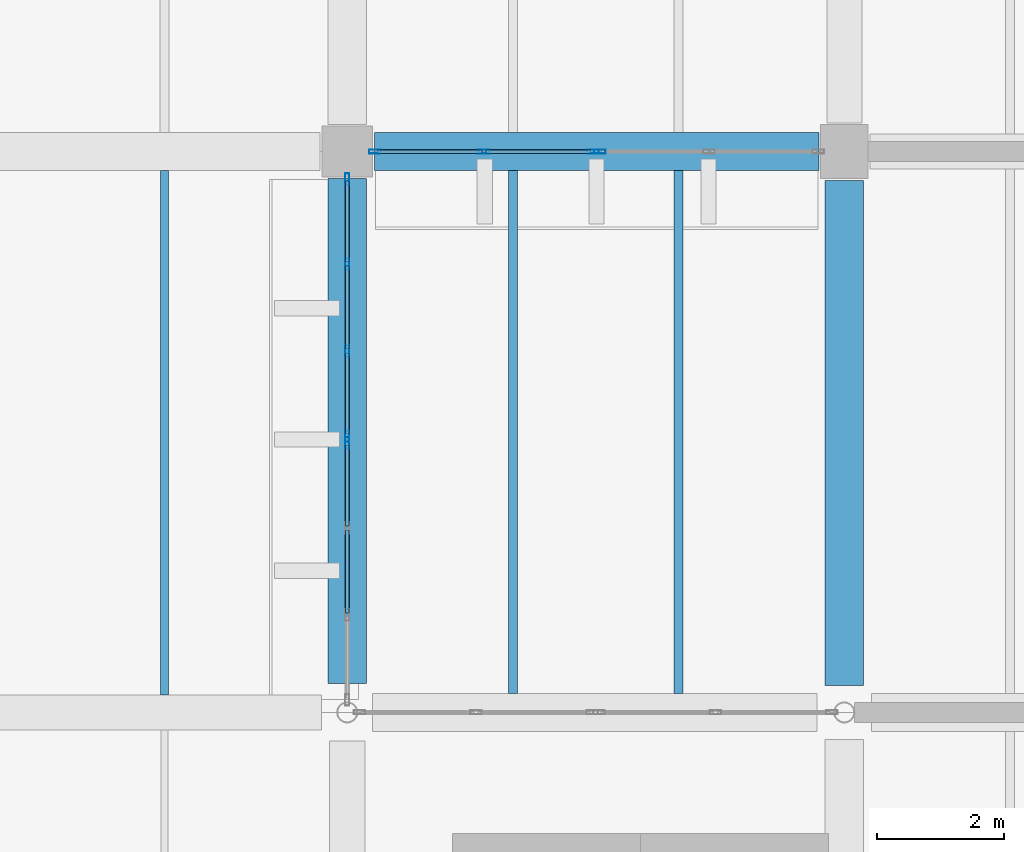
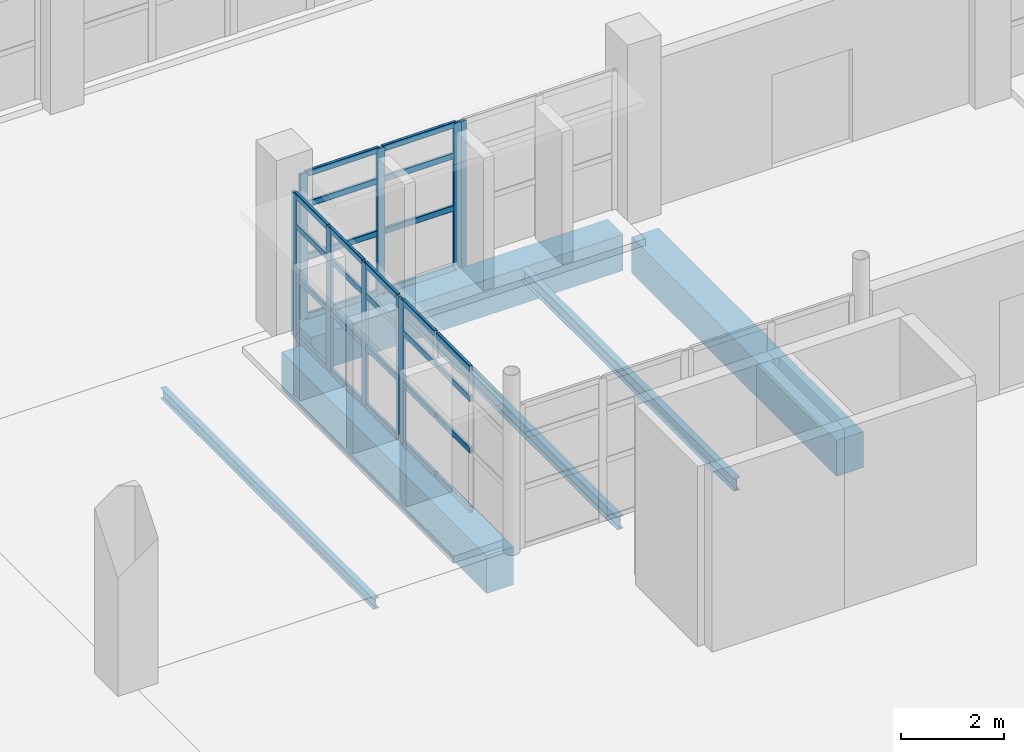
# One storey, part 18 of 76: 37 members, 6 beams, 4 elements without a shape of their own.
"""IFC4 building model written with IfcOpenShell, lengths in metres."""

from ifc_helpers import new_model, si_unit, direction, frame, origin, origin_2d, place, context, subcontext, project, spatial, rectangle, hollow_rectangle, i_section, extrude, material, material_profile, profile_set, type_object, element, aggregate, save


model = new_model("IFC4")

# Units and contexts
model_context = context("Model", 3, precision=1e-05, world=origin(), true_north=direction((0.0, 1.0)))
body_context = subcontext(model_context, "Body", "Model", "MODEL_VIEW")
ifc_project = project(units=[si_unit("LENGTHUNIT", "METRE"), si_unit("AREAUNIT", "SQUARE_METRE"), si_unit("VOLUMEUNIT", "CUBIC_METRE"), si_unit("PLANEANGLEUNIT", "RADIAN"), si_unit("MASSUNIT", "GRAM", prefix="KILO")], contexts=[model_context])

# Site, building, storey
site_placement = place(None, origin())
site = spatial("IfcSite", under=ifc_project, at=site_placement, CompositionType="ELEMENT")
building_placement = place(site_placement, origin())
building = spatial("IfcBuilding", under=site, at=building_placement, Name="Varnakota Cinema and Media Centre", CompositionType="ELEMENT")
storey_placement = place(building_placement, origin())
storey = spatial("IfcBuildingStorey", under=building, at=storey_placement, Name="L00", CompositionType="ELEMENT", Elevation=0.0)

# Beams
ifc_material_1 = material(Name="Concrete M35", Category="concrete")
ifc_material_profile_1 = material_profile(ifc_material_1, rectangle(XDim=0.60009765625, YDim=0.85009765625, at=origin_2d()), Name="RCB 600x850")
ifc_profile_set_1 = profile_set([ifc_material_profile_1], Name="Concrete M35")
beam_type_1 = type_object("IfcBeamType", Name="BM-RC-600x850", PredefinedType="BEAM", material=ifc_profile_set_1)
beam_1_placement = place(storey_placement, frame((52.02490234375, 35.199951171875, -0.705078125), z_axis=(1.0, 0.0, 0.0), x_axis=(0.0, 1.0, 0.0)))
element("IfcBeam", 1, at=beam_1_placement, inside=storey, type_object=beam_type_1, Name="L00 girder G-H/5", PredefinedType="BEAM", context=body_context, shape_type="SweptSolid", body=[
    extrude(rectangle(XDim=0.60009765625, YDim=0.85009765625, at=origin_2d()), origin(), (0.0, 0.0, 1.0), 6.97509765625),
])
beam_2_placement = place(storey_placement, frame((59.39990234375, 26.824951171875, -0.705078125), z_axis=(0.0, 1.0, 0.0), x_axis=(-1.0, 0.0, 0.0)))
element("IfcBeam", 2, at=beam_2_placement, inside=storey, type_object=beam_type_1, Name="L00 girder H/4-5", PredefinedType="BEAM", context=body_context, shape_type="SweptSolid", body=[
    extrude(rectangle(XDim=0.60009765625, YDim=0.85009765625, at=origin_2d()), origin(), (0.0, 0.0, 1.0), 7.925048828125),
])
ifc_material_2 = material(Name="Concrete M40", Category="concrete")
ifc_material_profile_2 = material_profile(ifc_material_2, rectangle(XDim=0.60009765625, YDim=0.89990234375, at=origin_2d()), Name="RCB 600x900")
ifc_profile_set_2 = profile_set([ifc_material_profile_2], Name="Concrete M40")
beam_type_2 = type_object("IfcBeamType", Name="BM-RC-600x900", PredefinedType="BEAM", material=ifc_profile_set_2)
beam_3_placement = place(storey_placement, frame((51.60009765625, 26.85009765625, -0.72998046875), z_axis=(0.0, 1.0, 0.0), x_axis=(-1.0, 0.0, 0.0)))
element("IfcBeam", 3, at=beam_3_placement, inside=storey, type_object=beam_type_2, Name="L00 girder G/4-5", PredefinedType="BEAM", context=body_context, shape_type="SweptSolid", body=[
    extrude(rectangle(XDim=0.60009765625, YDim=0.89990234375, at=origin_2d()), origin(), (0.0, 0.0, 1.0), 7.9248046875),
])
ifc_material_3 = material(Name="Structural steel Grade 350 (E350)", Category="steel")
ifc_material_profile_3 = material_profile(ifc_material_3, i_section(OverallWidth=0.125, OverallDepth=0.25, WebThickness=0.0068359375, FlangeThickness=0.012451171875, FilletRadius=0.012939453125, at=origin_2d()), Name="ISMB 250")
ifc_profile_set_3 = profile_set([ifc_material_profile_3], Name="Structural steel Grade 350 (E350)")
beam_type_3 = type_object("IfcBeamType", Name="BM-ST-ISMB250", PredefinedType="JOIST", material=ifc_profile_set_3)
beam_4_placement = place(storey_placement, frame((48.7333984375, 26.675048828125, -0.405029296875), z_axis=(0.0, 1.0, 0.0), x_axis=(-1.0, 0.0, 0.0)))
element("IfcBeam", 4, at=beam_4_placement, inside=storey, type_object=beam_type_3, Name="L00 steel joist F-G/4-5 #2", PredefinedType="JOIST", context=body_context, shape_type="SweptSolid", body=[
    extrude(i_section(OverallWidth=0.125, OverallDepth=0.25, WebThickness=0.0068359375, FlangeThickness=0.012451171875, FilletRadius=0.012939453125, at=origin_2d()), origin(), (0.0, 0.0, 1.0), 8.224853515625),
])
ifc_material_4 = material(Name="Structural steel Grade 350 (E350)", Category="steel")
ifc_material_profile_4 = material_profile(ifc_material_4, i_section(OverallWidth=0.139892578125, OverallDepth=0.300048828125, WebThickness=0.0078125, FlangeThickness=0.01318359375, FilletRadius=0.013916015625, at=origin_2d()), Name="ISMB 300")
ifc_profile_set_4 = profile_set([ifc_material_profile_4], Name="Structural steel Grade 350 (E350)")
beam_type_4 = type_object("IfcBeamType", Name="BM-ST-ISMB300", PredefinedType="JOIST", material=ifc_profile_set_4)
for number, where, z_axis, x_axis, name in (
    (5, (54.199951171875, 26.699951171875, -0.429931640625), (0.0, 1.0, 0.0), (-1.0, 0.0, 0.0), "L00 steel joist G-H/4-5 #1"),
    (6, (56.800048828125, 26.699951171875, -0.429931640625), (0.0, 1.0, 0.0), (-1.0, 0.0, 0.0), "L00 steel joist G-H/4-5 #2"),
):
    element("IfcBeam", number, at=place(storey_placement, frame(where, z_axis=z_axis, x_axis=x_axis)), inside=storey, type_object=beam_type_4, Name=name, PredefinedType="JOIST", context=body_context, shape_type="SweptSolid", body=[
        extrude(i_section(OverallWidth=0.139892578125, OverallDepth=0.300048828125, WebThickness=0.0078125, FlangeThickness=0.01318359375, FilletRadius=0.013916015625, at=origin_2d()), origin(), (0.0, 0.0, 1.0), 8.199951171875),
    ])

# Curtain wall, member
ifc_material_5 = material(Name="Thermally broken anodised aluminium AW-6063", Category="aluminium")
curtain_wall_type_1 = type_object("IfcCurtainWallType", Name="CW-STD-349x344", PredefinedType="USERDEFINED", material=ifc_material_5)
curtain_wall_1_placement = place(storey_placement, origin())
curtain_wall_1 = element("IfcCurtainWall", 7, at=curtain_wall_1_placement, inside=storey, type_object=curtain_wall_type_1, Name="L00 curtain wall CW-L00-LINK-S-03-1", ObjectType="UNITISED CURTAIN WALL", PredefinedType="USERDEFINED")
ifc_material_6 = material(Name="Thermally broken anodised aluminium AW-6063", Category="aluminium")
ifc_material_profile_5 = material_profile(ifc_material_6, hollow_rectangle(XDim=0.06494140625, YDim=0.179931640625, WallThickness=0.00390625, InnerFilletRadius=0.00390625, OuterFilletRadius=0.008056640625, at=origin_2d()), Name="AL-MULLION 180x65x4")
ifc_profile_set_5 = profile_set([ifc_material_profile_5], Name="Thermally broken anodised aluminium AW-6063")
member_type_1 = type_object("IfcMemberType", Name="CWM-AL-180", PredefinedType="MULLION", material=ifc_profile_set_5)
member_1_placement = place(storey_placement, frame((55.56494140625, 35.199951171875, 0.0), z_axis=(0.0, 0.0, 1.0), x_axis=(0.0, -1.0, 0.0)))
member_1 = element("IfcMember", 8, at=member_1_placement, type_object=member_type_1, Name="CW12 mullion 3", PredefinedType="MULLION", context=body_context, shape_type="SweptSolid", body=[
    extrude(hollow_rectangle(XDim=0.06494140625, YDim=0.179931640625, WallThickness=0.00390625, InnerFilletRadius=0.00390625, OuterFilletRadius=0.008056640625, at=origin_2d()), origin(), (0.0, 0.0, 1.0), 3.43505859375),
])
aggregate(curtain_wall_1, [member_1])

# Curtain wall, members
curtain_wall_2_placement = place(storey_placement, origin())
curtain_wall_2 = element("IfcCurtainWall", 9, at=curtain_wall_2_placement, inside=storey, type_object=curtain_wall_type_1, Name="L00 curtain wall CW-L00-LINK-S-03-2", ObjectType="UNITISED CURTAIN WALL", PredefinedType="USERDEFINED")
member_2_placement = place(storey_placement, frame((55.4599609375, 35.199951171875, 0.0), z_axis=(0.0, 0.0, 1.0), x_axis=(0.0, -1.0, 0.0)))
member_2 = element("IfcMember", 10, at=member_2_placement, type_object=member_type_1, Name="CW12 mullion 1", PredefinedType="MULLION", context=body_context, shape_type="SweptSolid", body=[
    extrude(hollow_rectangle(XDim=0.06494140625, YDim=0.179931640625, WallThickness=0.00390625, InnerFilletRadius=0.00390625, OuterFilletRadius=0.008056640625, at=origin_2d()), origin(), (0.0, 0.0, 1.0), 3.43505859375),
])
member_3_placement = place(storey_placement, frame((53.746337890625, 35.199951171875, 0.0), z_axis=(0.0, 0.0, 1.0), x_axis=(0.0, -1.0, 0.0)))
member_3 = element("IfcMember", 11, at=member_3_placement, type_object=member_type_1, Name="CW12 mullion 2", PredefinedType="MULLION", context=body_context, shape_type="SweptSolid", body=[
    extrude(hollow_rectangle(XDim=0.06494140625, YDim=0.179931640625, WallThickness=0.00390625, InnerFilletRadius=0.00390625, OuterFilletRadius=0.008056640625, at=origin_2d()), origin(), (0.0, 0.0, 1.0), 3.43505859375),
])
member_4_placement = place(storey_placement, frame((52.032470703125, 35.199951171875, 0.0), z_axis=(0.0, 0.0, 1.0), x_axis=(0.0, -1.0, 0.0)))
member_4 = element("IfcMember", 12, at=member_4_placement, type_object=member_type_1, Name="CW12 mullion 3", PredefinedType="MULLION", context=body_context, shape_type="SweptSolid", body=[
    extrude(hollow_rectangle(XDim=0.06494140625, YDim=0.179931640625, WallThickness=0.00390625, InnerFilletRadius=0.00390625, OuterFilletRadius=0.008056640625, at=origin_2d()), origin(), (0.0, 0.0, 1.0), 3.43505859375),
])

# Curtain wall, member
ifc_material_7 = material(Name="Thermally broken anodised aluminium AW-6063", Category="aluminium")
curtain_wall_type_2 = type_object("IfcCurtainWallType", Name="CW-STD-410x338", PredefinedType="USERDEFINED", material=ifc_material_7)
curtain_wall_3_placement = place(storey_placement, origin())
curtain_wall_3 = element("IfcCurtainWall", 13, at=curtain_wall_3_placement, inside=storey, type_object=curtain_wall_type_2, Name="L00 curtain wall CW-L00-WLINK-E-01-1", ObjectType="UNITISED CURTAIN WALL", PredefinedType="USERDEFINED")
member_5_placement = place(storey_placement, frame((51.60009765625, 30.62841796875, 0.0), z_axis=(0.0, 0.0, 1.0), x_axis=(-1.0, 0.0, 0.0)))
member_5 = element("IfcMember", 14, at=member_5_placement, type_object=member_type_1, Name="CW13 mullion 4", PredefinedType="MULLION", context=body_context, shape_type="SweptSolid", body=[
    extrude(hollow_rectangle(XDim=0.06494140625, YDim=0.179931640625, WallThickness=0.00390625, InnerFilletRadius=0.00390625, OuterFilletRadius=0.008056640625, at=origin_2d()), origin(), (0.0, 0.0, 1.0), 3.385009765625),
])

# Curtain wall, members
curtain_wall_4_placement = place(storey_placement, origin())
curtain_wall_4 = element("IfcCurtainWall", 15, at=curtain_wall_4_placement, inside=storey, type_object=curtain_wall_type_2, Name="L00 curtain wall CW-L00-WLINK-E-01-2", ObjectType="UNITISED CURTAIN WALL", PredefinedType="USERDEFINED")
member_6_placement = place(storey_placement, frame((51.60009765625, 30.7333984375, 0.0), z_axis=(0.0, 0.0, 1.0), x_axis=(-1.0, 0.0, 0.0)))
member_6 = element("IfcMember", 16, at=member_6_placement, type_object=member_type_1, Name="CW13 mullion 1", PredefinedType="MULLION", context=body_context, shape_type="SweptSolid", body=[
    extrude(hollow_rectangle(XDim=0.06494140625, YDim=0.179931640625, WallThickness=0.00390625, InnerFilletRadius=0.00390625, OuterFilletRadius=0.008056640625, at=origin_2d()), origin(), (0.0, 0.0, 1.0), 3.385009765625),
])
member_7_placement = place(storey_placement, frame((51.60009765625, 32.0673828125, 0.0), z_axis=(0.0, 0.0, 1.0), x_axis=(-1.0, 0.0, 0.0)))
member_7 = element("IfcMember", 17, at=member_7_placement, type_object=member_type_1, Name="CW13 mullion 2", PredefinedType="MULLION", context=body_context, shape_type="SweptSolid", body=[
    extrude(hollow_rectangle(XDim=0.06494140625, YDim=0.179931640625, WallThickness=0.00390625, InnerFilletRadius=0.00390625, OuterFilletRadius=0.008056640625, at=origin_2d()), origin(), (0.0, 0.0, 1.0), 3.385009765625),
])
member_8_placement = place(storey_placement, frame((51.60009765625, 33.43359375, 0.0), z_axis=(0.0, 0.0, 1.0), x_axis=(-1.0, 0.0, 0.0)))
member_8 = element("IfcMember", 18, at=member_8_placement, type_object=member_type_1, Name="CW13 mullion 3", PredefinedType="MULLION", context=body_context, shape_type="SweptSolid", body=[
    extrude(hollow_rectangle(XDim=0.06494140625, YDim=0.179931640625, WallThickness=0.00390625, InnerFilletRadius=0.00390625, OuterFilletRadius=0.008056640625, at=origin_2d()), origin(), (0.0, 0.0, 1.0), 3.385009765625),
])
member_9_placement = place(storey_placement, frame((51.60009765625, 34.767578125, 0.0), z_axis=(0.0, 0.0, 1.0), x_axis=(-1.0, 0.0, 0.0)))
member_9 = element("IfcMember", 19, at=member_9_placement, type_object=member_type_1, Name="CW13 mullion 4", PredefinedType="MULLION", context=body_context, shape_type="SweptSolid", body=[
    extrude(hollow_rectangle(XDim=0.06494140625, YDim=0.179931640625, WallThickness=0.00390625, InnerFilletRadius=0.00390625, OuterFilletRadius=0.008056640625, at=origin_2d()), origin(), (0.0, 0.0, 1.0), 3.385009765625),
])

# Member
ifc_material_8 = material(Name="Thermally broken anodised aluminium AW-6063", Category="aluminium")
ifc_material_profile_6 = material_profile(ifc_material_8, hollow_rectangle(XDim=0.06494140625, YDim=0.139892578125, WallThickness=0.00390625, InnerFilletRadius=0.00390625, OuterFilletRadius=0.008056640625, at=origin_2d()), Name="AL-TRANSOM 140x65x4")
ifc_profile_set_6 = profile_set([ifc_material_profile_6], Name="Thermally broken anodised aluminium AW-6063")
member_type_2 = type_object("IfcMemberType", Name="CWT-AL-140", PredefinedType="USERDEFINED", material=ifc_profile_set_6)
member_10_placement = place(storey_placement, frame((55.427490234375, 35.199951171875, 0.032470703125), z_axis=(-1.0, 0.0, 0.0), x_axis=(0.0, -1.0, 0.0)))
member_10 = element("IfcMember", 20, at=member_10_placement, type_object=member_type_2, Name="CW12 transom 1.1", ObjectType="TRANSOM", PredefinedType="USERDEFINED", context=body_context, shape_type="SweptSolid", body=[
    extrude(hollow_rectangle(XDim=0.06494140625, YDim=0.139892578125, WallThickness=0.00390625, InnerFilletRadius=0.00390625, OuterFilletRadius=0.008056640625, at=origin_2d()), origin(), (0.0, 0.0, 1.0), 1.648681640625),
])

member_11_placement = place(storey_placement, frame((55.427490234375, 35.199951171875, 1.442626953125), z_axis=(-1.0, 0.0, 0.0), x_axis=(0.0, -1.0, 0.0)))
member_11 = element("IfcMember", 21, at=member_11_placement, type_object=member_type_2, Name="CW12 transom 1.2", ObjectType="TRANSOM", PredefinedType="USERDEFINED", context=body_context, shape_type="SweptSolid", body=[
    extrude(hollow_rectangle(XDim=0.06494140625, YDim=0.139892578125, WallThickness=0.00390625, InnerFilletRadius=0.00390625, OuterFilletRadius=0.008056640625, at=origin_2d()), origin(), (0.0, 0.0, 1.0), 1.648681640625),
])

member_12_placement = place(storey_placement, frame((55.427490234375, 35.199951171875, 2.67919921875), z_axis=(-1.0, 0.0, 0.0), x_axis=(0.0, -1.0, 0.0)))
member_12 = element("IfcMember", 22, at=member_12_placement, type_object=member_type_2, Name="CW12 transom 1.3", ObjectType="TRANSOM", PredefinedType="USERDEFINED", context=body_context, shape_type="SweptSolid", body=[
    extrude(hollow_rectangle(XDim=0.06494140625, YDim=0.139892578125, WallThickness=0.00390625, InnerFilletRadius=0.00390625, OuterFilletRadius=0.008056640625, at=origin_2d()), origin(), (0.0, 0.0, 1.0), 1.648681640625),
])

member_13_placement = place(storey_placement, frame((55.427490234375, 35.199951171875, 3.402587890625), z_axis=(-1.0, 0.0, 0.0), x_axis=(0.0, -1.0, 0.0)))
member_13 = element("IfcMember", 23, at=member_13_placement, type_object=member_type_2, Name="CW12 transom 1.4", ObjectType="TRANSOM", PredefinedType="USERDEFINED", context=body_context, shape_type="SweptSolid", body=[
    extrude(hollow_rectangle(XDim=0.06494140625, YDim=0.139892578125, WallThickness=0.00390625, InnerFilletRadius=0.00390625, OuterFilletRadius=0.008056640625, at=origin_2d()), origin(), (0.0, 0.0, 1.0), 1.648681640625),
])

member_14_placement = place(storey_placement, frame((53.7138671875, 35.199951171875, 0.032470703125), z_axis=(-1.0, 0.0, 0.0), x_axis=(0.0, -1.0, 0.0)))
member_14 = element("IfcMember", 24, at=member_14_placement, type_object=member_type_2, Name="CW12 transom 2.1", ObjectType="TRANSOM", PredefinedType="USERDEFINED", context=body_context, shape_type="SweptSolid", body=[
    extrude(hollow_rectangle(XDim=0.06494140625, YDim=0.139892578125, WallThickness=0.00390625, InnerFilletRadius=0.00390625, OuterFilletRadius=0.008056640625, at=origin_2d()), origin(), (0.0, 0.0, 1.0), 1.64892578125),
])

member_15_placement = place(storey_placement, frame((53.7138671875, 35.199951171875, 1.442626953125), z_axis=(-1.0, 0.0, 0.0), x_axis=(0.0, -1.0, 0.0)))
member_15 = element("IfcMember", 25, at=member_15_placement, type_object=member_type_2, Name="CW12 transom 2.2", ObjectType="TRANSOM", PredefinedType="USERDEFINED", context=body_context, shape_type="SweptSolid", body=[
    extrude(hollow_rectangle(XDim=0.06494140625, YDim=0.139892578125, WallThickness=0.00390625, InnerFilletRadius=0.00390625, OuterFilletRadius=0.008056640625, at=origin_2d()), origin(), (0.0, 0.0, 1.0), 1.64892578125),
])

member_16_placement = place(storey_placement, frame((53.7138671875, 35.199951171875, 2.67919921875), z_axis=(-1.0, 0.0, 0.0), x_axis=(0.0, -1.0, 0.0)))
member_16 = element("IfcMember", 26, at=member_16_placement, type_object=member_type_2, Name="CW12 transom 2.3", ObjectType="TRANSOM", PredefinedType="USERDEFINED", context=body_context, shape_type="SweptSolid", body=[
    extrude(hollow_rectangle(XDim=0.06494140625, YDim=0.139892578125, WallThickness=0.00390625, InnerFilletRadius=0.00390625, OuterFilletRadius=0.008056640625, at=origin_2d()), origin(), (0.0, 0.0, 1.0), 1.64892578125),
])

member_17_placement = place(storey_placement, frame((53.7138671875, 35.199951171875, 3.402587890625), z_axis=(-1.0, 0.0, 0.0), x_axis=(0.0, -1.0, 0.0)))
member_17 = element("IfcMember", 27, at=member_17_placement, type_object=member_type_2, Name="CW12 transom 2.4", ObjectType="TRANSOM", PredefinedType="USERDEFINED", context=body_context, shape_type="SweptSolid", body=[
    extrude(hollow_rectangle(XDim=0.06494140625, YDim=0.139892578125, WallThickness=0.00390625, InnerFilletRadius=0.00390625, OuterFilletRadius=0.008056640625, at=origin_2d()), origin(), (0.0, 0.0, 1.0), 1.64892578125),
])

aggregate(curtain_wall_2, [member_2, member_3, member_4, member_10, member_11, member_12, member_13, member_14, member_15, member_16, member_17])

member_18_placement = place(storey_placement, frame((51.60009765625, 27.9609375, 0.032470703125), z_axis=(0.0, 1.0, 0.0), x_axis=(-1.0, 0.0, 0.0)))
member_18 = element("IfcMember", 28, at=member_18_placement, type_object=member_type_2, Name="CW13 transom 2.1", ObjectType="TRANSOM", PredefinedType="USERDEFINED", context=body_context, shape_type="SweptSolid", body=[
    extrude(hollow_rectangle(XDim=0.06494140625, YDim=0.139892578125, WallThickness=0.00390625, InnerFilletRadius=0.00390625, OuterFilletRadius=0.008056640625, at=origin_2d()), origin(), (0.0, 0.0, 1.0), 1.30126953125),
])

member_19_placement = place(storey_placement, frame((51.60009765625, 27.9609375, 1.421630859375), z_axis=(0.0, 1.0, 0.0), x_axis=(-1.0, 0.0, 0.0)))
member_19 = element("IfcMember", 29, at=member_19_placement, type_object=member_type_2, Name="CW13 transom 2.2", ObjectType="TRANSOM", PredefinedType="USERDEFINED", context=body_context, shape_type="SweptSolid", body=[
    extrude(hollow_rectangle(XDim=0.06494140625, YDim=0.139892578125, WallThickness=0.00390625, InnerFilletRadius=0.00390625, OuterFilletRadius=0.008056640625, at=origin_2d()), origin(), (0.0, 0.0, 1.0), 1.30126953125),
])

member_20_placement = place(storey_placement, frame((51.60009765625, 27.9609375, 2.640380859375), z_axis=(0.0, 1.0, 0.0), x_axis=(-1.0, 0.0, 0.0)))
member_20 = element("IfcMember", 30, at=member_20_placement, type_object=member_type_2, Name="CW13 transom 2.3", ObjectType="TRANSOM", PredefinedType="USERDEFINED", context=body_context, shape_type="SweptSolid", body=[
    extrude(hollow_rectangle(XDim=0.06494140625, YDim=0.139892578125, WallThickness=0.00390625, InnerFilletRadius=0.00390625, OuterFilletRadius=0.008056640625, at=origin_2d()), origin(), (0.0, 0.0, 1.0), 1.30126953125),
])

member_21_placement = place(storey_placement, frame((51.60009765625, 27.9609375, 3.3525390625), z_axis=(0.0, 1.0, 0.0), x_axis=(-1.0, 0.0, 0.0)))
member_21 = element("IfcMember", 31, at=member_21_placement, type_object=member_type_2, Name="CW13 transom 2.4", ObjectType="TRANSOM", PredefinedType="USERDEFINED", context=body_context, shape_type="SweptSolid", body=[
    extrude(hollow_rectangle(XDim=0.06494140625, YDim=0.139892578125, WallThickness=0.00390625, InnerFilletRadius=0.00390625, OuterFilletRadius=0.008056640625, at=origin_2d()), origin(), (0.0, 0.0, 1.0), 1.30126953125),
])

member_22_placement = place(storey_placement, frame((51.60009765625, 29.3271484375, 0.032470703125), z_axis=(0.0, 1.0, 0.0), x_axis=(-1.0, 0.0, 0.0)))
member_22 = element("IfcMember", 32, at=member_22_placement, type_object=member_type_2, Name="CW13 transom 3.1", ObjectType="TRANSOM", PredefinedType="USERDEFINED", context=body_context, shape_type="SweptSolid", body=[
    extrude(hollow_rectangle(XDim=0.06494140625, YDim=0.139892578125, WallThickness=0.00390625, InnerFilletRadius=0.00390625, OuterFilletRadius=0.008056640625, at=origin_2d()), origin(), (0.0, 0.0, 1.0), 1.268798828125),
])

member_23_placement = place(storey_placement, frame((51.60009765625, 29.3271484375, 1.421630859375), z_axis=(0.0, 1.0, 0.0), x_axis=(-1.0, 0.0, 0.0)))
member_23 = element("IfcMember", 33, at=member_23_placement, type_object=member_type_2, Name="CW13 transom 3.2", ObjectType="TRANSOM", PredefinedType="USERDEFINED", context=body_context, shape_type="SweptSolid", body=[
    extrude(hollow_rectangle(XDim=0.06494140625, YDim=0.139892578125, WallThickness=0.00390625, InnerFilletRadius=0.00390625, OuterFilletRadius=0.008056640625, at=origin_2d()), origin(), (0.0, 0.0, 1.0), 1.268798828125),
])

member_24_placement = place(storey_placement, frame((51.60009765625, 29.3271484375, 2.640380859375), z_axis=(0.0, 1.0, 0.0), x_axis=(-1.0, 0.0, 0.0)))
member_24 = element("IfcMember", 34, at=member_24_placement, type_object=member_type_2, Name="CW13 transom 3.3", ObjectType="TRANSOM", PredefinedType="USERDEFINED", context=body_context, shape_type="SweptSolid", body=[
    extrude(hollow_rectangle(XDim=0.06494140625, YDim=0.139892578125, WallThickness=0.00390625, InnerFilletRadius=0.00390625, OuterFilletRadius=0.008056640625, at=origin_2d()), origin(), (0.0, 0.0, 1.0), 1.268798828125),
])

member_25_placement = place(storey_placement, frame((51.60009765625, 29.3271484375, 3.3525390625), z_axis=(0.0, 1.0, 0.0), x_axis=(-1.0, 0.0, 0.0)))
member_25 = element("IfcMember", 35, at=member_25_placement, type_object=member_type_2, Name="CW13 transom 3.4", ObjectType="TRANSOM", PredefinedType="USERDEFINED", context=body_context, shape_type="SweptSolid", body=[
    extrude(hollow_rectangle(XDim=0.06494140625, YDim=0.139892578125, WallThickness=0.00390625, InnerFilletRadius=0.00390625, OuterFilletRadius=0.008056640625, at=origin_2d()), origin(), (0.0, 0.0, 1.0), 1.268798828125),
])

aggregate(curtain_wall_3, [member_5, member_18, member_19, member_20, member_21, member_22, member_23, member_24, member_25])

member_26_placement = place(storey_placement, frame((51.60009765625, 30.76611328125, 0.032470703125), z_axis=(0.0, 1.0, 0.0), x_axis=(-1.0, 0.0, 0.0)))
member_26 = element("IfcMember", 36, at=member_26_placement, type_object=member_type_2, Name="CW13 transom 1.1", ObjectType="TRANSOM", PredefinedType="USERDEFINED", context=body_context, shape_type="SweptSolid", body=[
    extrude(hollow_rectangle(XDim=0.06494140625, YDim=0.139892578125, WallThickness=0.00390625, InnerFilletRadius=0.00390625, OuterFilletRadius=0.008056640625, at=origin_2d()), origin(), (0.0, 0.0, 1.0), 1.268798828125),
])

member_27_placement = place(storey_placement, frame((51.60009765625, 30.76611328125, 1.421630859375), z_axis=(0.0, 1.0, 0.0), x_axis=(-1.0, 0.0, 0.0)))
member_27 = element("IfcMember", 37, at=member_27_placement, type_object=member_type_2, Name="CW13 transom 1.2", ObjectType="TRANSOM", PredefinedType="USERDEFINED", context=body_context, shape_type="SweptSolid", body=[
    extrude(hollow_rectangle(XDim=0.06494140625, YDim=0.139892578125, WallThickness=0.00390625, InnerFilletRadius=0.00390625, OuterFilletRadius=0.008056640625, at=origin_2d()), origin(), (0.0, 0.0, 1.0), 1.268798828125),
])

member_28_placement = place(storey_placement, frame((51.60009765625, 30.76611328125, 2.640380859375), z_axis=(0.0, 1.0, 0.0), x_axis=(-1.0, 0.0, 0.0)))
member_28 = element("IfcMember", 38, at=member_28_placement, type_object=member_type_2, Name="CW13 transom 1.3", ObjectType="TRANSOM", PredefinedType="USERDEFINED", context=body_context, shape_type="SweptSolid", body=[
    extrude(hollow_rectangle(XDim=0.06494140625, YDim=0.139892578125, WallThickness=0.00390625, InnerFilletRadius=0.00390625, OuterFilletRadius=0.008056640625, at=origin_2d()), origin(), (0.0, 0.0, 1.0), 1.268798828125),
])

member_29_placement = place(storey_placement, frame((51.60009765625, 30.76611328125, 3.3525390625), z_axis=(0.0, 1.0, 0.0), x_axis=(-1.0, 0.0, 0.0)))
member_29 = element("IfcMember", 39, at=member_29_placement, type_object=member_type_2, Name="CW13 transom 1.4", ObjectType="TRANSOM", PredefinedType="USERDEFINED", context=body_context, shape_type="SweptSolid", body=[
    extrude(hollow_rectangle(XDim=0.06494140625, YDim=0.139892578125, WallThickness=0.00390625, InnerFilletRadius=0.00390625, OuterFilletRadius=0.008056640625, at=origin_2d()), origin(), (0.0, 0.0, 1.0), 1.268798828125),
])

member_30_placement = place(storey_placement, frame((51.60009765625, 32.099853515625, 0.032470703125), z_axis=(0.0, 1.0, 0.0), x_axis=(-1.0, 0.0, 0.0)))
member_30 = element("IfcMember", 40, at=member_30_placement, type_object=member_type_2, Name="CW13 transom 2.1", ObjectType="TRANSOM", PredefinedType="USERDEFINED", context=body_context, shape_type="SweptSolid", body=[
    extrude(hollow_rectangle(XDim=0.06494140625, YDim=0.139892578125, WallThickness=0.00390625, InnerFilletRadius=0.00390625, OuterFilletRadius=0.008056640625, at=origin_2d()), origin(), (0.0, 0.0, 1.0), 1.30126953125),
])

member_31_placement = place(storey_placement, frame((51.60009765625, 32.099853515625, 1.421630859375), z_axis=(0.0, 1.0, 0.0), x_axis=(-1.0, 0.0, 0.0)))
member_31 = element("IfcMember", 41, at=member_31_placement, type_object=member_type_2, Name="CW13 transom 2.2", ObjectType="TRANSOM", PredefinedType="USERDEFINED", context=body_context, shape_type="SweptSolid", body=[
    extrude(hollow_rectangle(XDim=0.06494140625, YDim=0.139892578125, WallThickness=0.00390625, InnerFilletRadius=0.00390625, OuterFilletRadius=0.008056640625, at=origin_2d()), origin(), (0.0, 0.0, 1.0), 1.30126953125),
])

member_32_placement = place(storey_placement, frame((51.60009765625, 32.099853515625, 2.640380859375), z_axis=(0.0, 1.0, 0.0), x_axis=(-1.0, 0.0, 0.0)))
member_32 = element("IfcMember", 42, at=member_32_placement, type_object=member_type_2, Name="CW13 transom 2.3", ObjectType="TRANSOM", PredefinedType="USERDEFINED", context=body_context, shape_type="SweptSolid", body=[
    extrude(hollow_rectangle(XDim=0.06494140625, YDim=0.139892578125, WallThickness=0.00390625, InnerFilletRadius=0.00390625, OuterFilletRadius=0.008056640625, at=origin_2d()), origin(), (0.0, 0.0, 1.0), 1.30126953125),
])

member_33_placement = place(storey_placement, frame((51.60009765625, 32.099853515625, 3.3525390625), z_axis=(0.0, 1.0, 0.0), x_axis=(-1.0, 0.0, 0.0)))
member_33 = element("IfcMember", 43, at=member_33_placement, type_object=member_type_2, Name="CW13 transom 2.4", ObjectType="TRANSOM", PredefinedType="USERDEFINED", context=body_context, shape_type="SweptSolid", body=[
    extrude(hollow_rectangle(XDim=0.06494140625, YDim=0.139892578125, WallThickness=0.00390625, InnerFilletRadius=0.00390625, OuterFilletRadius=0.008056640625, at=origin_2d()), origin(), (0.0, 0.0, 1.0), 1.30126953125),
])

member_34_placement = place(storey_placement, frame((51.60009765625, 33.466064453125, 0.032470703125), z_axis=(0.0, 1.0, 0.0), x_axis=(-1.0, 0.0, 0.0)))
member_34 = element("IfcMember", 44, at=member_34_placement, type_object=member_type_2, Name="CW13 transom 3.1", ObjectType="TRANSOM", PredefinedType="USERDEFINED", context=body_context, shape_type="SweptSolid", body=[
    extrude(hollow_rectangle(XDim=0.06494140625, YDim=0.139892578125, WallThickness=0.00390625, InnerFilletRadius=0.00390625, OuterFilletRadius=0.008056640625, at=origin_2d()), origin(), (0.0, 0.0, 1.0), 1.26904296875),
])

member_35_placement = place(storey_placement, frame((51.60009765625, 33.466064453125, 1.421630859375), z_axis=(0.0, 1.0, 0.0), x_axis=(-1.0, 0.0, 0.0)))
member_35 = element("IfcMember", 45, at=member_35_placement, type_object=member_type_2, Name="CW13 transom 3.2", ObjectType="TRANSOM", PredefinedType="USERDEFINED", context=body_context, shape_type="SweptSolid", body=[
    extrude(hollow_rectangle(XDim=0.06494140625, YDim=0.139892578125, WallThickness=0.00390625, InnerFilletRadius=0.00390625, OuterFilletRadius=0.008056640625, at=origin_2d()), origin(), (0.0, 0.0, 1.0), 1.26904296875),
])

member_36_placement = place(storey_placement, frame((51.60009765625, 33.466064453125, 2.640380859375), z_axis=(0.0, 1.0, 0.0), x_axis=(-1.0, 0.0, 0.0)))
member_36 = element("IfcMember", 46, at=member_36_placement, type_object=member_type_2, Name="CW13 transom 3.3", ObjectType="TRANSOM", PredefinedType="USERDEFINED", context=body_context, shape_type="SweptSolid", body=[
    extrude(hollow_rectangle(XDim=0.06494140625, YDim=0.139892578125, WallThickness=0.00390625, InnerFilletRadius=0.00390625, OuterFilletRadius=0.008056640625, at=origin_2d()), origin(), (0.0, 0.0, 1.0), 1.26904296875),
])

member_37_placement = place(storey_placement, frame((51.60009765625, 33.466064453125, 3.3525390625), z_axis=(0.0, 1.0, 0.0), x_axis=(-1.0, 0.0, 0.0)))
member_37 = element("IfcMember", 47, at=member_37_placement, type_object=member_type_2, Name="CW13 transom 3.4", ObjectType="TRANSOM", PredefinedType="USERDEFINED", context=body_context, shape_type="SweptSolid", body=[
    extrude(hollow_rectangle(XDim=0.06494140625, YDim=0.139892578125, WallThickness=0.00390625, InnerFilletRadius=0.00390625, OuterFilletRadius=0.008056640625, at=origin_2d()), origin(), (0.0, 0.0, 1.0), 1.26904296875),
])

aggregate(curtain_wall_4, [member_6, member_7, member_8, member_9, member_26, member_27, member_28, member_29, member_30, member_31, member_32, member_33, member_34, member_35, member_36, member_37])

save(model, "model.ifc")
